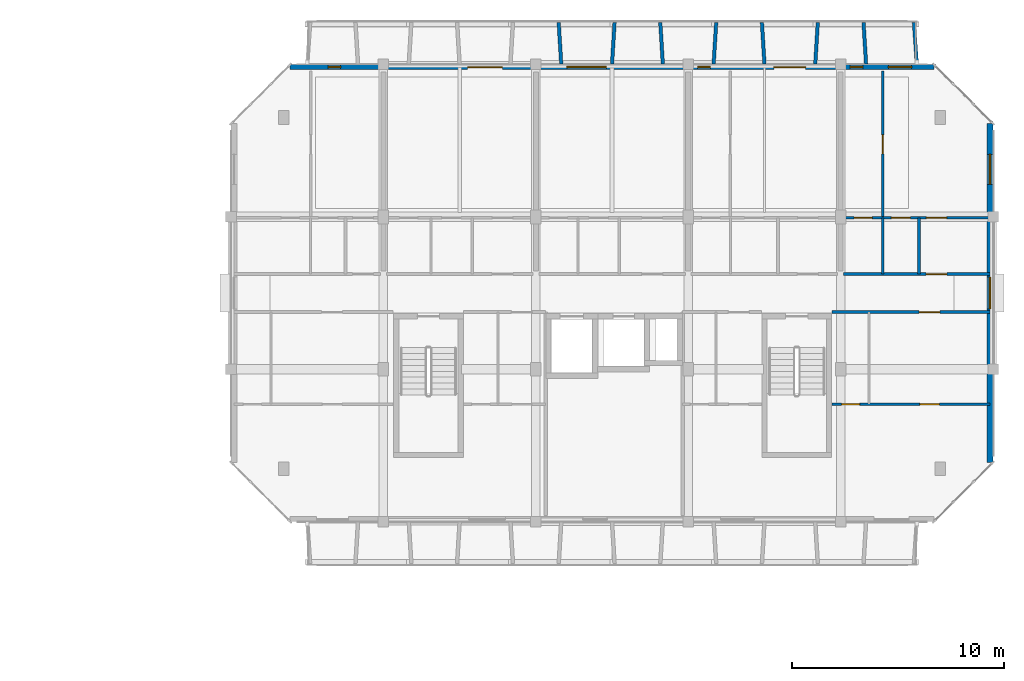
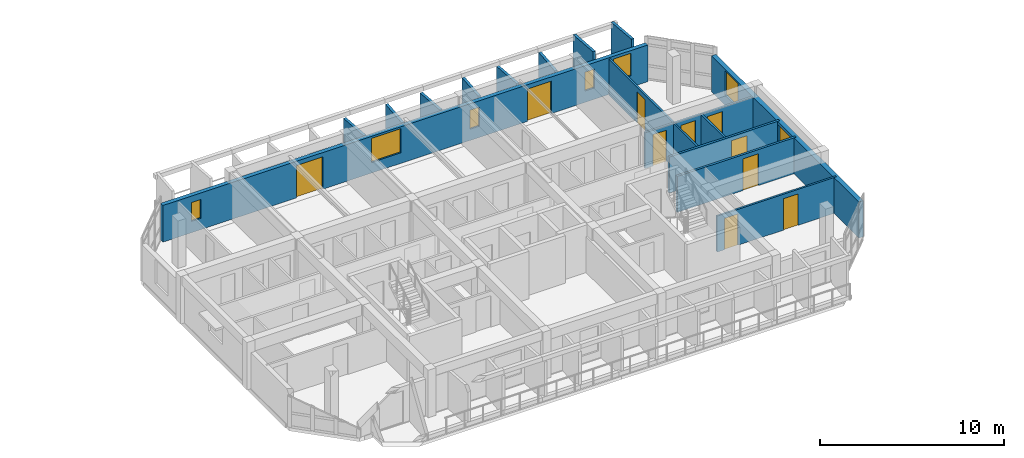
# One storey, part 29 of 45: 17 walls, 10 doors, 7 windows, 17 openings.
"""IFC4 building model written with IfcOpenShell, lengths in metres."""

import ifcopenshell
import ifcopenshell.guid

model = None  # the IFC model being written
_history = None  # IfcOwnerHistory: only IFC2X3 demands one
_inside = {}  # id of a spatial element -> (the spatial element, [elements in it])
_under = {}  # id of a project, library or spatial element -> (it, [spatial elements below it])
_declared = {}  # id of a project -> (the project, [libraries it declares])
_typed = {}  # id of a type object -> (the type object, [elements of that type])
_made_of = {}  # id of a material, layer set ... -> (it, [elements and type objects made of it])


def new_model(schema):
    """Start an empty IFC model of exactly this schema.

    Asked for "IFC4X3", IfcOpenShell would pick the latest addendum, in which some entities
    have other attributes; the version numbers below select the first issue.
    IFC2X3 requires an IfcOwnerHistory on every rooted entity: one is made here for all.
    """
    global model, _history
    if schema == "IFC4X3":
        model = ifcopenshell.file(schema_version=(4, 3, 0, 0))
    else:
        model = ifcopenshell.file(schema=schema)
    _inside.clear()
    _under.clear()
    _declared.clear()
    _typed.clear()
    _made_of.clear()
    _history = None
    if model.schema == "IFC2X3":
        org = make("IfcOrganization", Name="unknown")
        user = make(
            "IfcPersonAndOrganization",
            ThePerson=make("IfcPerson", FamilyName="unknown"),
            TheOrganization=org,
        )
        app = make(
            "IfcApplication",
            ApplicationDeveloper=org,
            Version="unknown",
            ApplicationFullName="unknown",
            ApplicationIdentifier="unknown",
        )
        _history = make(
            "IfcOwnerHistory",
            OwningUser=user,
            OwningApplication=app,
            ChangeAction="ADDED",
            CreationDate=0,
        )
    return model


def make(cls, **values):
    """One entity of the class cls with the attributes given. An attribute that is None is left unset."""
    return model.create_entity(
        cls, **{name: value for name, value in values.items() if value is not None}
    )


def rooted(cls, **values):
    """An entity with a GlobalId (a new one), such as an element, a storey or a relation."""
    return make(cls, GlobalId=ifcopenshell.guid.new(), OwnerHistory=_history, **values)


def si_unit(unit_type, name, prefix=None):
    """IfcSIUnit, for example si_unit("LENGTHUNIT", "METRE", prefix="MILLI")."""
    return make("IfcSIUnit", UnitType=unit_type, Prefix=prefix, Name=name)


def assignment(units):
    """IfcUnitAssignment: the units of a project."""
    return None if units is None else make("IfcUnitAssignment", Units=units)


def point(xyz):
    """IfcCartesianPoint."""
    return None if xyz is None else make("IfcCartesianPoint", Coordinates=xyz)


def direction(xyz):
    """IfcDirection."""
    return None if xyz is None else make("IfcDirection", DirectionRatios=xyz)


def frame(location, z_axis=None, x_axis=None):
    """IfcAxis2Placement3D, a coordinate frame: its origin and axes. An axis left out is left unset."""
    return make(
        "IfcAxis2Placement3D",
        Location=point(location),
        Axis=direction(z_axis),
        RefDirection=direction(x_axis),
    )


def frame_2d(location, x_axis=None):
    """IfcAxis2Placement2D, a coordinate frame in the plane: its origin and x axis."""
    return make(
        "IfcAxis2Placement2D", Location=point(location), RefDirection=direction(x_axis)
    )


def origin():
    """The frame at (0, 0, 0) with its axes left unset."""
    return frame((0.0, 0.0, 0.0))


def place(relative_to, where):
    """IfcLocalPlacement: puts the frame where relative to a parent placement (None: the world)."""
    return make(
        "IfcLocalPlacement", PlacementRelTo=relative_to, RelativePlacement=where
    )


def context(
    kind, dimensions, precision=None, world=None, true_north=None, identifier=None
):
    """IfcGeometricRepresentationContext, for example the 3D "Model" context."""
    return make(
        "IfcGeometricRepresentationContext",
        ContextIdentifier=identifier,
        ContextType=kind,
        CoordinateSpaceDimension=dimensions,
        Precision=precision,
        WorldCoordinateSystem=world,
        TrueNorth=true_north,
    )


def subcontext(parent, identifier, kind, view, scale=None):
    """IfcGeometricRepresentationSubContext, for example "Body" below "Model"."""
    return make(
        "IfcGeometricRepresentationSubContext",
        ContextIdentifier=identifier,
        ContextType=kind,
        ParentContext=parent,
        TargetScale=scale,
        TargetView=view,
    )


def project(units=None, contexts=None):
    """IfcProject with its units and contexts."""
    return rooted(
        "IfcProject",
        Name="project",
        RepresentationContexts=contexts,
        UnitsInContext=assignment(units),
    )


def spatial(cls, under=None, at=None, **own):
    """A site, building, storey or space (cls), placed at a placement, below another one or the project."""
    s = rooted(cls, ObjectPlacement=at, **own)
    if under is not None:
        _under.setdefault(under.id(), (under, []))[1].append(s)
    return s


def profile(cls, at=None, kind="AREA", **sizes):
    """A parametric profile (cls). Its sizes go by their IFC names, for example OverallWidth=200.0."""
    return make(cls, ProfileType=kind, Position=at, **sizes)


def rectangle(**sizes):
    """IfcRectangleProfileDef."""
    return profile("IfcRectangleProfileDef", **sizes)


def extrude(swept, where, along, depth):
    """IfcExtrudedAreaSolid: the profile swept, set in the frame where, extruded along a direction by depth."""
    return make(
        "IfcExtrudedAreaSolid",
        SweptArea=swept,
        Position=where,
        ExtrudedDirection=direction(along),
        Depth=depth,
    )


def shape(context_of_items, identifier, shape_type, items):
    """IfcShapeRepresentation: the items that make up one representation, for example the "Body"."""
    return make(
        "IfcShapeRepresentation",
        ContextOfItems=context_of_items,
        RepresentationIdentifier=identifier,
        RepresentationType=shape_type,
        Items=items,
    )


def material(Name=None, Category=None):
    """IfcMaterial."""
    return make("IfcMaterial", Name=Name, Category=Category)


def layer(
    of_material, thickness, ventilated=None, Name=None, Category=None, Priority=None
):
    """IfcMaterialLayer: one layer of a wall or slab, of a material (None: an air gap)."""
    return make(
        "IfcMaterialLayer",
        Material=of_material,
        LayerThickness=thickness,
        IsVentilated=ventilated,
        Name=Name,
        Category=Category,
        Priority=Priority,
    )


def layer_set(layers, Name=None):
    """IfcMaterialLayerSet."""
    return make("IfcMaterialLayerSet", MaterialLayers=layers, LayerSetName=Name)


def made_of(thing, what):
    """Note that an element or type object is made of a material, layer set ...; save() writes the relation."""
    if what is not None:
        _made_of.setdefault(what.id(), (what, []))[1].append(thing)
    return thing


def type_object(cls, material=None, **own):
    """A type object (cls), such as IfcWallType, which elements share."""
    return made_of(rooted(cls, **own), material)


def element(
    cls,
    number,
    at=None,
    inside=None,
    cuts=None,
    type_object=None,
    material=None,
    context=None,
    identifier="Body",
    shape_type=None,
    held_by="IfcProductDefinitionShape",
    body=None,
    shapes=None,
    **own,
):
    """One element of the class cls, such as IfcWall. Its Tag is "e" and its number.

    at: its placement. inside: the storey or other place that contains it. cuts: it is an
    opening in that element (IfcRelVoidsElement). A single representation is given by context,
    identifier, shape_type and body (its items); several are given by shapes. held_by: the class
    of the entity that holds the representations. save() writes the other relations.
    """
    e = rooted(cls, Tag="e%d" % number, ObjectPlacement=at, **own)
    if body is not None:
        shapes = [shape(context, identifier, shape_type, body)]
    if shapes is not None:
        e.Representation = make(held_by, Representations=shapes)
    if inside is not None:
        _inside.setdefault(inside.id(), (inside, []))[1].append(e)
    if cuts is not None:
        rooted(
            "IfcRelVoidsElement", RelatingBuildingElement=cuts, RelatedOpeningElement=e
        )
    if type_object is not None:
        _typed.setdefault(type_object.id(), (type_object, []))[1].append(e)
    return made_of(e, material)


def fill(opening, filler):
    """IfcRelFillsElement: the door or window that sits in an opening."""
    return rooted(
        "IfcRelFillsElement",
        RelatingOpeningElement=opening,
        RelatedBuildingElement=filler,
    )


def aggregate(whole, parts):
    """IfcRelAggregates: a whole, such as a stair, and the parts it consists of."""
    return rooted("IfcRelAggregates", RelatingObject=whole, RelatedObjects=parts)


def save(model, path):
    """Write the relations noted so far, then the file.

    IfcRelAggregates (storeys below a building ...), IfcRelContainedInSpatialStructure (elements
    in a storey), IfcRelDefinesByType, IfcRelAssociatesMaterial and IfcRelDeclares: one each for
    every whole, place, type object, material and project.
    """
    for whole, parts in _under.values():
        aggregate(whole, parts)
    for where, things in _inside.values():
        rooted(
            "IfcRelContainedInSpatialStructure",
            RelatedElements=things,
            RelatingStructure=where,
        )
    for kind, things in _typed.values():
        rooted("IfcRelDefinesByType", RelatedObjects=things, RelatingType=kind)
    for what, things in _made_of.values():
        rooted("IfcRelAssociatesMaterial", RelatedObjects=things, RelatingMaterial=what)
    for by, libraries in _declared.values():
        rooted("IfcRelDeclares", RelatingContext=by, RelatedDefinitions=libraries)
    model.write(path)


model = new_model("IFC4")

# Units and contexts
model_context = context("Model", 3, precision=1e-05, world=origin(), true_north=direction((0.0, 1.0)))
body_context = subcontext(model_context, "Body", "Model", "MODEL_VIEW")
ifc_project = project(units=[si_unit("LENGTHUNIT", "METRE"), si_unit("AREAUNIT", "SQUARE_METRE"), si_unit("VOLUMEUNIT", "CUBIC_METRE"), si_unit("PLANEANGLEUNIT", "RADIAN"), si_unit("MASSUNIT", "GRAM", prefix="KILO")], contexts=[model_context])

# Site, building, storey
site_placement = place(None, origin())
site = spatial("IfcSite", under=ifc_project, at=site_placement, CompositionType="ELEMENT")
building_placement = place(site_placement, origin())
building = spatial("IfcBuilding", under=site, at=building_placement, Name="Ochrevale Crest", CompositionType="ELEMENT")
storey_placement = place(building_placement, frame((0.0, 0.0, 18.14990234375)))
storey = spatial("IfcBuildingStorey", under=building, at=storey_placement, Name="L05", CompositionType="ELEMENT", Elevation=18.14990234375)

# Wall, opening, door
ifc_material_1 = material(Name="Gypsum plasterboard", Category="gypsum")
ifc_layer_1 = layer(ifc_material_1, 0.139892578125)
ifc_layer_set_1 = layer_set([ifc_layer_1], Name="Gypsum plasterboard")
wall_type_1 = type_object("IfcWallType", Name="WL-COR-140", PredefinedType="PARTITIONING", material=ifc_layer_set_1)
wall_1_placement = place(storey_placement, frame((158.5400390625, 83.699951171875, 0.0), z_axis=(0.0, 0.0, 1.0), x_axis=(1.0, 0.0, 0.0)))
wall_1 = element("IfcWall", 1, at=wall_1_placement, inside=storey, type_object=wall_type_1, Name="Apartment D-L05-U5 corridor wall", PredefinedType="PARTITIONING", context=body_context, shape_type="SweptSolid", body=[
    extrude(rectangle(XDim=6.919921875, YDim=0.139892578125, at=frame_2d((3.4599609375, 0.0))), origin(), (0.0, 0.0, 1.0), 2.380126953125),
])
opening_1_placement = place(wall_1_placement, frame((3.89501953125, 0.0, 0.0)))
opening_1 = element("IfcOpeningElement", 2, at=opening_1_placement, cuts=wall_1, Name="Opening FD01", PredefinedType="OPENING", context=body_context, shape_type="SweptSolid", body=[
    extrude(rectangle(XDim=0.97998046875, YDim=2.10009765625, at=frame_2d((0.489990234375, 1.050048828125))), frame((0.0, 0.080078125, 0.0), z_axis=(0.0, -1.0, 0.0), x_axis=(1.0, 0.0, 0.0)), (0.0, 0.0, 1.0), 0.159912109375),
])
ifc_material_2 = material(Name="Solid-core FSC hardwood", Category="wood")
door_type_1 = type_object("IfcDoorType", Name="DR-APT-950", OperationType="NOTDEFINED", PredefinedType="DOOR", material=ifc_material_2)
door_1_placement = place(opening_1_placement, origin())
door_1 = element("IfcDoor", 3, at=door_1_placement, inside=storey, type_object=door_type_1, Name="Apartment D-L05-U5 entrance door", OperationType="SINGLE_SWING_LEFT", OverallHeight=2.10009765625, OverallWidth=0.97998046875, PredefinedType="DOOR", context=body_context, shape_type="SweptSolid", body=[
    extrude(rectangle(XDim=0.97998046875, YDim=2.10009765625, at=frame_2d((0.489990234375, 1.050048828125))), frame((0.0, 0.02490234375, 0.0), z_axis=(0.0, -1.0, 0.0), x_axis=(1.0, 0.0, 0.0)), (0.0, 0.0, 1.0), 0.050048828125),
])
fill(opening_1, door_1)

wall_2_placement = place(storey_placement, frame((157.989990234375, 81.89990234375, 0.0), z_axis=(0.0, 0.0, 1.0), x_axis=(1.0, 0.0, 0.0)))
wall_2 = element("IfcWall", 4, at=wall_2_placement, inside=storey, type_object=wall_type_1, Name="Suite D-L05-CE corridor wall", PredefinedType="PARTITIONING", context=body_context, shape_type="SweptSolid", body=[
    extrude(rectangle(XDim=7.469970703125, YDim=0.139892578125, at=frame_2d((3.73486328125, 0.0))), origin(), (0.0, 0.0, 1.0), 2.380126953125),
])
opening_2_placement = place(wall_2_placement, frame((4.1201171875, 0.0, 0.0)))
opening_2 = element("IfcOpeningElement", 5, at=opening_2_placement, cuts=wall_2, Name="Opening FD01", PredefinedType="OPENING", context=body_context, shape_type="SweptSolid", body=[
    extrude(rectangle(XDim=0.97998046875, YDim=2.10009765625, at=frame_2d((0.489990234375, 1.050048828125))), frame((0.0, 0.080078125, 0.0), z_axis=(0.0, -1.0, 0.0), x_axis=(1.0, 0.0, 0.0)), (0.0, 0.0, 1.0), 0.159912109375),
])
door_2_placement = place(opening_2_placement, origin())
door_2 = element("IfcDoor", 6, at=door_2_placement, inside=storey, type_object=door_type_1, Name="Suite D-L05-CE entrance door", OperationType="SINGLE_SWING_LEFT", OverallHeight=2.10009765625, OverallWidth=0.97998046875, PredefinedType="DOOR", context=body_context, shape_type="SweptSolid", body=[
    extrude(rectangle(XDim=0.97998046875, YDim=2.10009765625, at=frame_2d((0.489990234375, 1.050048828125))), frame((0.0, 0.02490234375, 0.0), z_axis=(0.0, -1.0, 0.0), x_axis=(1.0, 0.0, 0.0)), (0.0, 0.0, 1.0), 0.050048828125),
])
fill(opening_2, door_2)

# Wall, openings, windows
ifc_material_3 = material(Name="Clay face brickwork", Category="masonry")
ifc_layer_2 = layer(ifc_material_3, 0.2900390625)
ifc_layer_set_2 = layer_set([ifc_layer_2], Name="Clay face brickwork")
wall_type_2 = type_object("IfcWallType", Name="WL-EXT-BRICK-290", PredefinedType="SOLIDWALL", material=ifc_layer_set_2)
wall_3_placement = place(storey_placement, frame((165.455078125, 74.800048828125, 0.0), z_axis=(0.0, 0.0, 1.0), x_axis=(0.0, 1.0, 0.0)))
wall_3 = element("IfcWall", 7, at=wall_3_placement, inside=storey, type_object=wall_type_2, Name="Block D L05 external facade wall E3", PredefinedType="SOLIDWALL", context=body_context, shape_type="SweptSolid", body=[
    extrude(rectangle(XDim=16.0, YDim=0.2900390625, at=frame_2d((8.0, 0.0))), origin(), (0.0, 0.0, 1.0), 2.380126953125),
])
opening_3_placement = place(wall_3_placement, frame((7.25, 0.0, 1.050048828125)))
opening_3 = element("IfcOpeningElement", 8, at=opening_3_placement, cuts=wall_3, Name="Opening W18", PredefinedType="OPENING", context=body_context, shape_type="SweptSolid", body=[
    extrude(rectangle(XDim=1.5, YDim=1.14990234375, at=frame_2d((0.75, 0.574951171875))), frame((0.0, 0.155029296875, 0.0), z_axis=(0.0, -1.0, 0.0), x_axis=(1.0, 0.0, 0.0)), (0.0, 0.0, 1.0), 0.31005859375),
])
opening_4_placement = place(wall_3_placement, frame((13.1298828125, 0.0, 0.669921875)))
opening_4 = element("IfcOpeningElement", 9, at=opening_4_placement, cuts=wall_3, Name="Opening W31", PredefinedType="OPENING", context=body_context, shape_type="SweptSolid", body=[
    extrude(rectangle(XDim=1.419921875, YDim=1.60009765625, at=frame_2d((0.7099609375, 0.800048828125))), frame((0.0, 0.155029296875, 0.0), z_axis=(0.0, -1.0, 0.0), x_axis=(1.0, 0.0, 0.0)), (0.0, 0.0, 1.0), 0.31005859375),
])
ifc_material_4 = material(Name="Anodised aluminium 6063-T5 and low-E double glazing", Category="aluminium")
window_type_1 = type_object("IfcWindowType", Name="WIN-W18", PartitioningType="SINGLE_PANEL", PredefinedType="WINDOW", material=ifc_material_4)
window_1_placement = place(opening_3_placement, origin())
window_1 = element("IfcWindow", 10, at=window_1_placement, inside=storey, type_object=window_type_1, Name="Block D L05 corridor end daylight window E", OverallHeight=1.14990234375, OverallWidth=1.5, PartitioningType="SINGLE_PANEL", PredefinedType="WINDOW", context=body_context, shape_type="SweptSolid", body=[
    extrude(rectangle(XDim=1.5, YDim=1.14990234375, at=frame_2d((0.75, 0.574951171875))), frame((0.0, 0.030029296875, 0.0), z_axis=(0.0, -1.0, 0.0), x_axis=(1.0, 0.0, 0.0)), (0.0, 0.0, 1.0), 0.06005859375),
])
fill(opening_3, window_1)
window_type_2 = type_object("IfcWindowType", Name="WIN-W31", PartitioningType="SINGLE_PANEL", PredefinedType="WINDOW", material=ifc_material_4)
window_2_placement = place(opening_4_placement, origin())
window_2 = element("IfcWindow", 11, at=window_2_placement, inside=storey, type_object=window_type_2, Name="Block D L05 side suite window E", OverallHeight=1.60009765625, OverallWidth=1.419921875, PartitioningType="SINGLE_PANEL", PredefinedType="WINDOW", context=body_context, shape_type="SweptSolid", body=[
    extrude(rectangle(XDim=1.419921875, YDim=1.60009765625, at=frame_2d((0.7099609375, 0.800048828125))), frame((0.0, 0.030029296875, 0.0), z_axis=(0.0, -1.0, 0.0), x_axis=(1.0, 0.0, 0.0)), (0.0, 0.0, 1.0), 0.06005859375),
])
fill(opening_4, window_2)

# Wall, openings, doors, windows
ifc_material_5 = material(Name="Precast concrete C40/50", Category="concrete")
ifc_layer_3 = layer(ifc_material_5, 0.25)
ifc_layer_set_3 = layer_set([ifc_layer_3], Name="Precast concrete C40/50")
wall_type_3 = type_object("IfcWallType", Name="WL-EXT-GOLD-250", PredefinedType="SOLIDWALL", material=ifc_layer_set_3)
wall_4_placement = place(storey_placement, frame((162.800048828125, 93.47509765625, 0.0), z_axis=(0.0, 0.0, 1.0), x_axis=(-1.0, 0.0, 0.0)))
wall_4 = element("IfcWall", 12, at=wall_4_placement, inside=storey, type_object=wall_type_3, Name="Block D L05 external facade wall E5", PredefinedType="SOLIDWALL", context=body_context, shape_type="SweptSolid", body=[
    extrude(rectangle(XDim=30.400146484375, YDim=0.25, at=frame_2d((15.2001953125, 0.0))), origin(), (0.0, 0.0, 1.0), 2.43017578125),
])
opening_5_placement = place(wall_4_placement, frame((22.02490234375, 0.0, 0.0), z_axis=(0.0, 0.0, 1.0), x_axis=(-1.0, 0.0, 0.0)))
opening_5 = element("IfcOpeningElement", 13, at=opening_5_placement, cuts=wall_4, Name="Opening BD02", PredefinedType="OPENING", context=body_context, shape_type="SweptSolid", body=[
    extrude(rectangle(XDim=1.64990234375, YDim=2.14990234375, at=frame_2d((0.824951171875, 1.074951171875))), frame((0.0, 0.135009765625, 0.0), z_axis=(0.0, -1.0, 0.0), x_axis=(1.0, 0.0, 0.0)), (0.0, 0.0, 1.0), 0.27001953125),
])
opening_6_placement = place(wall_4_placement, frame((7.550048828125, 0.0, 0.0), z_axis=(0.0, 0.0, 1.0), x_axis=(-1.0, 0.0, 0.0)))
opening_6 = element("IfcOpeningElement", 14, at=opening_6_placement, cuts=wall_4, Name="Opening BD01", PredefinedType="OPENING", context=body_context, shape_type="SweptSolid", body=[
    extrude(rectangle(XDim=1.5, YDim=2.14990234375, at=frame_2d((0.75, 1.074951171875))), frame((0.0, 0.135009765625, 0.0), z_axis=(0.0, -1.0, 0.0), x_axis=(1.0, 0.0, 0.0)), (0.0, 0.0, 1.0), 0.27001953125),
])
opening_7_placement = place(wall_4_placement, frame((28.014892578125, 0.0, 0.75)))
opening_7 = element("IfcOpeningElement", 15, at=opening_7_placement, cuts=wall_4, Name="Opening W01", PredefinedType="OPENING", context=body_context, shape_type="SweptSolid", body=[
    extrude(rectangle(XDim=0.60009765625, YDim=1.25, at=frame_2d((0.300048828125, 0.625))), frame((0.0, 0.135009765625, 0.0), z_axis=(0.0, -1.0, 0.0), x_axis=(1.0, 0.0, 0.0)), (0.0, 0.0, 1.0), 0.27001953125),
])
opening_8_placement = place(wall_4_placement, frame((15.469970703125, 0.0, 0.699951171875)))
opening_8 = element("IfcOpeningElement", 16, at=opening_8_placement, cuts=wall_4, Name="Opening W11", PredefinedType="OPENING", context=body_context, shape_type="SweptSolid", body=[
    extrude(rectangle(XDim=1.860107421875, YDim=1.60009765625, at=frame_2d((0.93017578125, 0.800048828125))), frame((0.0, 0.135009765625, 0.0), z_axis=(0.0, -1.0, 0.0), x_axis=(1.0, 0.0, 0.0)), (0.0, 0.0, 1.0), 0.27001953125),
])
opening_9_placement = place(wall_4_placement, frame((10.554931640625, 0.0, 0.75)))
opening_9 = element("IfcOpeningElement", 17, at=opening_9_placement, cuts=wall_4, Name="Opening W01", PredefinedType="OPENING", context=body_context, shape_type="SweptSolid", body=[
    extrude(rectangle(XDim=0.60009765625, YDim=1.25, at=frame_2d((0.300048828125, 0.625))), frame((0.0, 0.135009765625, 0.0), z_axis=(0.0, -1.0, 0.0), x_axis=(1.0, 0.0, 0.0)), (0.0, 0.0, 1.0), 0.27001953125),
])
opening_10_placement = place(wall_4_placement, frame((3.35498046875, 0.0, 0.75)))
opening_10 = element("IfcOpeningElement", 18, at=opening_10_placement, cuts=wall_4, Name="Opening W01", PredefinedType="OPENING", context=body_context, shape_type="SweptSolid", body=[
    extrude(rectangle(XDim=0.60009765625, YDim=1.25, at=frame_2d((0.300048828125, 0.625))), frame((0.0, 0.135009765625, 0.0), z_axis=(0.0, -1.0, 0.0), x_axis=(1.0, 0.0, 0.0)), (0.0, 0.0, 1.0), 0.27001953125),
])
opening_11_placement = place(wall_4_placement, frame((1.050048828125, 0.0, 0.75)))
opening_11 = element("IfcOpeningElement", 19, at=opening_11_placement, cuts=wall_4, Name="Opening W05", PredefinedType="OPENING", context=body_context, shape_type="SweptSolid", body=[
    extrude(rectangle(XDim=1.10009765625, YDim=1.5, at=frame_2d((0.550048828125, 0.75))), frame((0.0, 0.135009765625, 0.0), z_axis=(0.0, -1.0, 0.0), x_axis=(1.0, 0.0, 0.0)), (0.0, 0.0, 1.0), 0.27001953125),
])
ifc_material_6 = material(Name="Anodised aluminium 6063-T5 and toughened glass", Category="aluminium")
door_type_2 = type_object("IfcDoorType", Name="DR-BAL-1500", OperationType="NOTDEFINED", PredefinedType="DOOR", material=ifc_material_6)
door_3_placement = place(opening_6_placement, origin())
door_3 = element("IfcDoor", 20, at=door_3_placement, inside=storey, type_object=door_type_2, Name="Block D L05 balcony door N4", OperationType="SINGLE_SWING_RIGHT", OverallHeight=2.14990234375, OverallWidth=1.5, PredefinedType="DOOR", context=body_context, shape_type="SweptSolid", body=[
    extrude(rectangle(XDim=1.5, YDim=2.14990234375, at=frame_2d((0.75, 1.074951171875))), frame((0.0, 0.02490234375, 0.0), z_axis=(0.0, -1.0, 0.0), x_axis=(1.0, 0.0, 0.0)), (0.0, 0.0, 1.0), 0.050048828125),
])
fill(opening_6, door_3)
door_type_3 = type_object("IfcDoorType", Name="DR-BAL-1650", OperationType="NOTDEFINED", PredefinedType="DOOR", material=ifc_material_6)
door_4_placement = place(opening_5_placement, origin())
door_4 = element("IfcDoor", 21, at=door_4_placement, inside=storey, type_object=door_type_3, Name="Block D L05 balcony door N2", OperationType="SINGLE_SWING_LEFT", OverallHeight=2.14990234375, OverallWidth=1.64990234375, PredefinedType="DOOR", context=body_context, shape_type="SweptSolid", body=[
    extrude(rectangle(XDim=1.64990234375, YDim=2.14990234375, at=frame_2d((0.824951171875, 1.074951171875))), frame((0.0, 0.02490234375, 0.0), z_axis=(0.0, -1.0, 0.0), x_axis=(1.0, 0.0, 0.0)), (0.0, 0.0, 1.0), 0.050048828125),
])
fill(opening_5, door_4)
window_type_3 = type_object("IfcWindowType", Name="WIN-W01", PartitioningType="SINGLE_PANEL", PredefinedType="WINDOW", material=ifc_material_4)
window_3_placement = place(opening_7_placement, origin())
window_3 = element("IfcWindow", 22, at=window_3_placement, inside=storey, type_object=window_type_3, Name="Block D L05 Apartment D-L05-U1 One Bedroom Living Room window", OverallHeight=1.25, OverallWidth=0.60009765625, PartitioningType="SINGLE_PANEL", PredefinedType="WINDOW", context=body_context, shape_type="SweptSolid", body=[
    extrude(rectangle(XDim=0.60009765625, YDim=1.25, at=frame_2d((0.300048828125, 0.625))), frame((0.0, 0.030029296875, 0.0), z_axis=(0.0, -1.0, 0.0), x_axis=(1.0, 0.0, 0.0)), (0.0, 0.0, 1.0), 0.06005859375),
])
fill(opening_7, window_3)
window_4_placement = place(opening_9_placement, origin())
window_4 = element("IfcWindow", 23, at=window_4_placement, inside=storey, type_object=window_type_3, Name="Block D L05 Apartment D-L05-U4 Double Bedroom window", OverallHeight=1.25, OverallWidth=0.60009765625, PartitioningType="SINGLE_PANEL", PredefinedType="WINDOW", context=body_context, shape_type="SweptSolid", body=[
    extrude(rectangle(XDim=0.60009765625, YDim=1.25, at=frame_2d((0.300048828125, 0.625))), frame((0.0, 0.030029296875, 0.0), z_axis=(0.0, -1.0, 0.0), x_axis=(1.0, 0.0, 0.0)), (0.0, 0.0, 1.0), 0.06005859375),
])
fill(opening_9, window_4)
window_5_placement = place(opening_10_placement, origin())
window_5 = element("IfcWindow", 24, at=window_5_placement, inside=storey, type_object=window_type_3, Name="Block D L05 Apartment D-L05-U5 Master Bedroom window", OverallHeight=1.25, OverallWidth=0.60009765625, PartitioningType="SINGLE_PANEL", PredefinedType="WINDOW", context=body_context, shape_type="SweptSolid", body=[
    extrude(rectangle(XDim=0.60009765625, YDim=1.25, at=frame_2d((0.300048828125, 0.625))), frame((0.0, 0.030029296875, 0.0), z_axis=(0.0, -1.0, 0.0), x_axis=(1.0, 0.0, 0.0)), (0.0, 0.0, 1.0), 0.06005859375),
])
fill(opening_10, window_5)
window_type_4 = type_object("IfcWindowType", Name="WIN-W05", PartitioningType="SINGLE_PANEL", PredefinedType="WINDOW", material=ifc_material_4)
window_6_placement = place(opening_11_placement, origin())
window_6 = element("IfcWindow", 25, at=window_6_placement, inside=storey, type_object=window_type_4, Name="Block D L05 Apartment D-L05-U5 One Bedroom Living Room window", OverallHeight=1.5, OverallWidth=1.10009765625, PartitioningType="SINGLE_PANEL", PredefinedType="WINDOW", context=body_context, shape_type="SweptSolid", body=[
    extrude(rectangle(XDim=1.10009765625, YDim=1.5, at=frame_2d((0.550048828125, 0.75))), frame((0.0, 0.030029296875, 0.0), z_axis=(0.0, -1.0, 0.0), x_axis=(1.0, 0.0, 0.0)), (0.0, 0.0, 1.0), 0.06005859375),
])
fill(opening_11, window_6)
window_type_5 = type_object("IfcWindowType", Name="WIN-W11", PartitioningType="SINGLE_PANEL", PredefinedType="WINDOW", material=ifc_material_4)
window_7_placement = place(opening_8_placement, origin())
window_7 = element("IfcWindow", 26, at=window_7_placement, inside=storey, type_object=window_type_5, Name="Block D L05 Studio D-L05-U3 Living Room window", OverallHeight=1.60009765625, OverallWidth=1.860107421875, PartitioningType="SINGLE_PANEL", PredefinedType="WINDOW", context=body_context, shape_type="SweptSolid", body=[
    extrude(rectangle(XDim=1.860107421875, YDim=1.60009765625, at=frame_2d((0.93017578125, 0.800048828125))), frame((0.0, 0.030029296875, 0.0), z_axis=(0.0, -1.0, 0.0), x_axis=(1.0, 0.0, 0.0)), (0.0, 0.0, 1.0), 0.06005859375),
])
fill(opening_8, window_7)

# Walls
ifc_layer_4 = layer(ifc_material_5, 0.1650390625)
ifc_layer_set_4 = layer_set([ifc_layer_4], Name="Precast concrete C40/50")
wall_type_4 = type_object("IfcWallType", Name="WL-HC-CHEEK-165", PredefinedType="ELEMENTEDWALL", material=ifc_layer_set_4)
for number, where, z_axis, x_axis, name in (
    (27, (145.199951171875, 93.6201171875, 0.0), (0.0, 0.0, 1.0), (-0.061046865508, 0.998134900808, 0.0), "Block D L05 N precast honeycomb cheek 6"),
    (28, (147.60009765625, 93.6201171875, 0.0), (0.0, 0.0, 1.0), (0.061046865508, 0.998134900808, 0.0), "Block D L05 N precast honeycomb cheek 7"),
    (29, (150.0, 93.6201171875, 0.0), (0.0, 0.0, 1.0), (-0.061170732449, 0.998127317276, 0.0), "Block D L05 N precast honeycomb cheek 8"),
):
    element("IfcWall", number, at=place(storey_placement, frame(where, z_axis=z_axis, x_axis=x_axis)), inside=storey, type_object=wall_type_4, Name=name, PredefinedType="ELEMENTEDWALL", context=body_context, shape_type="SweptSolid", body=[
        extrude(rectangle(XDim=1.963623046875, YDim=0.1650390625, at=frame_2d((0.98193359375, 0.0))), origin(), (0.0, 0.0, 1.0), 2.4501953125),
    ])
for number, where, z_axis, x_axis, name in (
    (30, (152.39990234375, 93.6201171875, 0.0), (0.0, 0.0, 1.0), (0.061170732449, 0.998127317276, 0.0), "Block D L05 N precast honeycomb cheek 9"),
    (31, (154.800048828125, 93.6201171875, 0.0), (0.0, 0.0, 1.0), (-0.061170732449, 0.998127317276, 0.0), "Block D L05 N precast honeycomb cheek 10"),
    (32, (157.199951171875, 93.6201171875, 0.0), (0.0, 0.0, 1.0), (0.061170732449, 0.998127317276, 0.0), "Block D L05 N precast honeycomb cheek 11"),
):
    element("IfcWall", number, at=place(storey_placement, frame(where, z_axis=z_axis, x_axis=x_axis)), inside=storey, type_object=wall_type_4, Name=name, PredefinedType="ELEMENTEDWALL", context=body_context, shape_type="SweptSolid", body=[
        extrude(rectangle(XDim=1.963623046875, YDim=0.1650390625, at=frame_2d((0.98193359375, 0.0))), origin(), (0.0, 0.0, 1.0), 2.530029296875),
    ])
wall_5_placement = place(storey_placement, frame((159.60009765625, 93.6201171875, 0.0), z_axis=(0.0, 0.0, 1.0), x_axis=(-0.061170732449, 0.998127317276, 0.0)))
element("IfcWall", 33, at=wall_5_placement, inside=storey, type_object=wall_type_4, Name="Block D L05 N precast honeycomb cheek 12", PredefinedType="ELEMENTEDWALL", context=body_context, shape_type="SweptSolid", body=[
    extrude(rectangle(XDim=1.963623046875, YDim=0.1650390625, at=frame_2d((0.98193359375, 0.0))), origin(), (0.0, 0.0, 1.0), 2.9501953125),
])
wall_6_placement = place(storey_placement, frame((162.0, 93.6201171875, 0.0), z_axis=(0.0, 0.0, 1.0), x_axis=(-0.071194071069, 0.997462482625, 0.0)))
element("IfcWall", 34, at=wall_6_placement, inside=storey, type_object=wall_type_4, Name="Block D L05 N precast honeycomb cheek 13", PredefinedType="ELEMENTEDWALL", context=body_context, shape_type="SweptSolid", body=[
    extrude(rectangle(XDim=1.96484375, YDim=0.1650390625, at=frame_2d((0.982421875, 0.0))), origin(), (0.0, 0.0, 1.0), 2.9501953125),
])
ifc_layer_5 = layer(ifc_material_1, 0.1201171875)
ifc_layer_set_5 = layer_set([ifc_layer_5], Name="Gypsum plasterboard")
wall_type_5 = type_object("IfcWallType", Name="WL-PART-120", PredefinedType="PARTITIONING", material=ifc_layer_set_5)
wall_7_placement = place(storey_placement, frame((162.10009765625, 83.699951171875, 0.0), z_axis=(0.0, 0.0, 1.0), x_axis=(0.0, 1.0, 0.0)))
element("IfcWall", 35, at=wall_7_placement, inside=storey, type_object=wall_type_5, Name="Apartment D-L05-U5 kitchen-foyer wall", PredefinedType="PARTITIONING", context=body_context, shape_type="SweptSolid", body=[
    extrude(rectangle(XDim=2.650146484375, YDim=0.1201171875, at=frame_2d((1.3251953125, 0.0))), origin(), (0.0, 0.0, 1.0), 2.375),
])

# Wall, openings, doors
wall_8_placement = place(storey_placement, frame((158.5400390625, 86.35009765625, 0.0), z_axis=(0.0, 0.0, 1.0), x_axis=(1.0, 0.0, 0.0)))
wall_8 = element("IfcWall", 36, at=wall_8_placement, inside=storey, type_object=wall_type_5, Name="Apartment D-L05-U5 central partition", PredefinedType="PARTITIONING", context=body_context, shape_type="SweptSolid", body=[
    extrude(rectangle(XDim=6.919921875, YDim=0.1201171875, at=frame_2d((3.4599609375, 0.0))), origin(), (0.0, 0.0, 1.0), 2.375),
])
opening_12_placement = place(wall_8_placement, frame((1.35009765625, 0.0, 0.0), z_axis=(0.0, 0.0, 1.0), x_axis=(-1.0, 0.0, 0.0)))
opening_12 = element("IfcOpeningElement", 37, at=opening_12_placement, cuts=wall_8, Name="Opening ID01", PredefinedType="OPENING", context=body_context, shape_type="SweptSolid", body=[
    extrude(rectangle(XDim=0.85009765625, YDim=2.080078125, at=frame_2d((0.425048828125, 1.0400390625))), frame((0.0, 0.070068359375, 0.0), z_axis=(0.0, -1.0, 0.0), x_axis=(1.0, 0.0, 0.0)), (0.0, 0.0, 1.0), 0.14013671875),
])
opening_13_placement = place(wall_8_placement, frame((2.2548828125, 0.0, 0.0)))
opening_13 = element("IfcOpeningElement", 38, at=opening_13_placement, cuts=wall_8, Name="Opening ID02", PredefinedType="OPENING", context=body_context, shape_type="SweptSolid", body=[
    extrude(rectangle(XDim=0.89990234375, YDim=2.080078125, at=frame_2d((0.449951171875, 1.0400390625))), frame((0.0, 0.070068359375, 0.0), z_axis=(0.0, -1.0, 0.0), x_axis=(1.0, 0.0, 0.0)), (0.0, 0.0, 1.0), 0.14013671875),
])
opening_14_placement = place(wall_8_placement, frame((4.85986328125, 0.0, 0.0), z_axis=(0.0, 0.0, 1.0), x_axis=(-1.0, 0.0, 0.0)))
opening_14 = element("IfcOpeningElement", 39, at=opening_14_placement, cuts=wall_8, Name="Opening ID06", PredefinedType="OPENING", context=body_context, shape_type="SweptSolid", body=[
    extrude(rectangle(XDim=0.949951171875, YDim=2.080078125, at=frame_2d((0.47509765625, 1.0400390625))), frame((0.0, 0.070068359375, 0.0), z_axis=(0.0, -1.0, 0.0), x_axis=(1.0, 0.0, 0.0)), (0.0, 0.0, 1.0), 0.14013671875),
])
door_type_4 = type_object("IfcDoorType", Name="DR-INT-900", OperationType="NOTDEFINED", PredefinedType="DOOR", material=ifc_material_2)
door_5_placement = place(opening_13_placement, origin())
door_5 = element("IfcDoor", 40, at=door_5_placement, inside=storey, type_object=door_type_4, Name="Apartment D-L05-U5 Kitchen door", OperationType="SINGLE_SWING_LEFT", OverallHeight=2.080078125, OverallWidth=0.89990234375, PredefinedType="DOOR", context=body_context, shape_type="SweptSolid", body=[
    extrude(rectangle(XDim=0.89990234375, YDim=2.080078125, at=frame_2d((0.449951171875, 1.0400390625))), frame((0.0, 0.02490234375, 0.0), z_axis=(0.0, -1.0, 0.0), x_axis=(1.0, 0.0, 0.0)), (0.0, 0.0, 1.0), 0.050048828125),
])
fill(opening_13, door_5)
door_type_5 = type_object("IfcDoorType", Name="DR-INT-950", OperationType="NOTDEFINED", PredefinedType="DOOR", material=ifc_material_2)
door_6_placement = place(opening_14_placement, origin())
door_6 = element("IfcDoor", 41, at=door_6_placement, inside=storey, type_object=door_type_5, Name="Apartment D-L05-U5 Living Foyer door", OperationType="SINGLE_SWING_RIGHT", OverallHeight=2.080078125, OverallWidth=0.949951171875, PredefinedType="DOOR", context=body_context, shape_type="SweptSolid", body=[
    extrude(rectangle(XDim=0.949951171875, YDim=2.080078125, at=frame_2d((0.47509765625, 1.0400390625))), frame((0.0, 0.02490234375, 0.0), z_axis=(0.0, -1.0, 0.0), x_axis=(1.0, 0.0, 0.0)), (0.0, 0.0, 1.0), 0.050048828125),
])
fill(opening_14, door_6)
door_type_6 = type_object("IfcDoorType", Name="DR-WC-850", OperationType="NOTDEFINED", PredefinedType="DOOR", material=ifc_material_2)
door_7_placement = place(opening_12_placement, origin())
door_7 = element("IfcDoor", 42, at=door_7_placement, inside=storey, type_object=door_type_6, Name="Apartment D-L05-U5 Bathroom door", OperationType="SINGLE_SWING_RIGHT", OverallHeight=2.080078125, OverallWidth=0.85009765625, PredefinedType="DOOR", context=body_context, shape_type="SweptSolid", body=[
    extrude(rectangle(XDim=0.85009765625, YDim=2.080078125, at=frame_2d((0.425048828125, 1.0400390625))), frame((0.0, 0.02490234375, 0.0), z_axis=(0.0, -1.0, 0.0), x_axis=(1.0, 0.0, 0.0)), (0.0, 0.0, 1.0), 0.050048828125),
])
fill(opening_12, door_7)

# Wall, opening, door
wall_9_placement = place(storey_placement, frame((160.389892578125, 86.35009765625, 0.0), z_axis=(0.0, 0.0, 1.0), x_axis=(0.0, 1.0, 0.0)))
wall_9 = element("IfcWall", 43, at=wall_9_placement, inside=storey, type_object=wall_type_5, Name="Apartment D-L05-U5 bedroom partition", PredefinedType="PARTITIONING", context=body_context, shape_type="SweptSolid", body=[
    extrude(rectangle(XDim=6.949951171875, YDim=0.1201171875, at=frame_2d((3.47509765625, 0.0))), origin(), (0.0, 0.0, 1.0), 2.375),
])
opening_15_placement = place(wall_9_placement, frame((3.02490234375, 0.0, 0.0)))
opening_15 = element("IfcOpeningElement", 44, at=opening_15_placement, cuts=wall_9, Name="Opening ID02", PredefinedType="OPENING", context=body_context, shape_type="SweptSolid", body=[
    extrude(rectangle(XDim=0.89990234375, YDim=2.080078125, at=frame_2d((0.449951171875, 1.0400390625))), frame((0.0, 0.070068359375, 0.0), z_axis=(0.0, -1.0, 0.0), x_axis=(1.0, 0.0, 0.0)), (0.0, 0.0, 1.0), 0.14013671875),
])
door_8_placement = place(opening_15_placement, origin())
door_8 = element("IfcDoor", 45, at=door_8_placement, inside=storey, type_object=door_type_4, Name="Apartment D-L05-U5 Master Bedroom door", OperationType="SINGLE_SWING_LEFT", OverallHeight=2.080078125, OverallWidth=0.89990234375, PredefinedType="DOOR", context=body_context, shape_type="SweptSolid", body=[
    extrude(rectangle(XDim=0.89990234375, YDim=2.080078125, at=frame_2d((0.449951171875, 1.0400390625))), frame((0.0, 0.02490234375, 0.0), z_axis=(0.0, -1.0, 0.0), x_axis=(1.0, 0.0, 0.0)), (0.0, 0.0, 1.0), 0.050048828125),
])
fill(opening_15, door_8)

# Wall, openings, doors
wall_10_placement = place(storey_placement, frame((157.989990234375, 77.550048828125, 0.0), z_axis=(0.0, 0.0, 1.0), x_axis=(1.0, 0.0, 0.0)))
wall_10 = element("IfcWall", 46, at=wall_10_placement, inside=storey, type_object=wall_type_5, Name="Suite D-L05-CE internal wall", PredefinedType="PARTITIONING", context=body_context, shape_type="SweptSolid", body=[
    extrude(rectangle(XDim=7.469970703125, YDim=0.1201171875, at=frame_2d((3.73486328125, 0.0))), origin(), (0.0, 0.0, 1.0), 2.380126953125),
])
opening_16_placement = place(wall_10_placement, frame((1.300048828125, 0.0, 0.0), z_axis=(0.0, 0.0, 1.0), x_axis=(-1.0, 0.0, 0.0)))
opening_16 = element("IfcOpeningElement", 47, at=opening_16_placement, cuts=wall_10, Name="Opening ID01", PredefinedType="OPENING", context=body_context, shape_type="SweptSolid", body=[
    extrude(rectangle(XDim=0.85009765625, YDim=2.080078125, at=frame_2d((0.425048828125, 1.0400390625))), frame((0.0, 0.070068359375, 0.0), z_axis=(0.0, -1.0, 0.0), x_axis=(1.0, 0.0, 0.0)), (0.0, 0.0, 1.0), 0.14013671875),
])
opening_17_placement = place(wall_10_placement, frame((4.14990234375, 0.0, 0.0)))
opening_17 = element("IfcOpeningElement", 48, at=opening_17_placement, cuts=wall_10, Name="Opening ID04", PredefinedType="OPENING", context=body_context, shape_type="SweptSolid", body=[
    extrude(rectangle(XDim=0.919921875, YDim=2.080078125, at=frame_2d((0.4599609375, 1.0400390625))), frame((0.0, 0.070068359375, 0.0), z_axis=(0.0, -1.0, 0.0), x_axis=(1.0, 0.0, 0.0)), (0.0, 0.0, 1.0), 0.14013671875),
])
door_type_7 = type_object("IfcDoorType", Name="DR-INT-920", OperationType="NOTDEFINED", PredefinedType="DOOR", material=ifc_material_2)
door_9_placement = place(opening_17_placement, origin())
door_9 = element("IfcDoor", 49, at=door_9_placement, inside=storey, type_object=door_type_7, Name="Suite D-L05-CE Master Bedroom door", OperationType="SINGLE_SWING_LEFT", OverallHeight=2.080078125, OverallWidth=0.919921875, PredefinedType="DOOR", context=body_context, shape_type="SweptSolid", body=[
    extrude(rectangle(XDim=0.919921875, YDim=2.080078125, at=frame_2d((0.4599609375, 1.0400390625))), frame((0.0, 0.02490234375, 0.0), z_axis=(0.0, -1.0, 0.0), x_axis=(1.0, 0.0, 0.0)), (0.0, 0.0, 1.0), 0.050048828125),
])
fill(opening_17, door_9)
door_10_placement = place(opening_16_placement, origin())
door_10 = element("IfcDoor", 50, at=door_10_placement, inside=storey, type_object=door_type_6, Name="Suite D-L05-CE Bathroom door", OperationType="SINGLE_SWING_RIGHT", OverallHeight=2.080078125, OverallWidth=0.85009765625, PredefinedType="DOOR", context=body_context, shape_type="SweptSolid", body=[
    extrude(rectangle(XDim=0.85009765625, YDim=2.080078125, at=frame_2d((0.425048828125, 1.0400390625))), frame((0.0, 0.02490234375, 0.0), z_axis=(0.0, -1.0, 0.0), x_axis=(1.0, 0.0, 0.0)), (0.0, 0.0, 1.0), 0.050048828125),
])
fill(opening_16, door_10)

# Wall
ifc_layer_6 = layer(ifc_material_1, 0.10009765625)
ifc_layer_set_6 = layer_set([ifc_layer_6], Name="Gypsum plasterboard")
wall_type_6 = type_object("IfcWallType", Name="WL-WET-100", PredefinedType="PARTITIONING", material=ifc_layer_set_6)
wall_11_placement = place(storey_placement, frame((160.389892578125, 83.699951171875, 0.0), z_axis=(0.0, 0.0, 1.0), x_axis=(0.0, 1.0, 0.0)))
element("IfcWall", 51, at=wall_11_placement, inside=storey, type_object=wall_type_6, Name="Apartment D-L05-U5 bath-kitchen wall", PredefinedType="PARTITIONING", context=body_context, shape_type="SweptSolid", body=[
    extrude(rectangle(XDim=2.650146484375, YDim=0.10009765625, at=frame_2d((1.3251953125, 0.0))), origin(), (0.0, 0.0, 1.0), 2.375),
])

save(model, "model.ifc")
